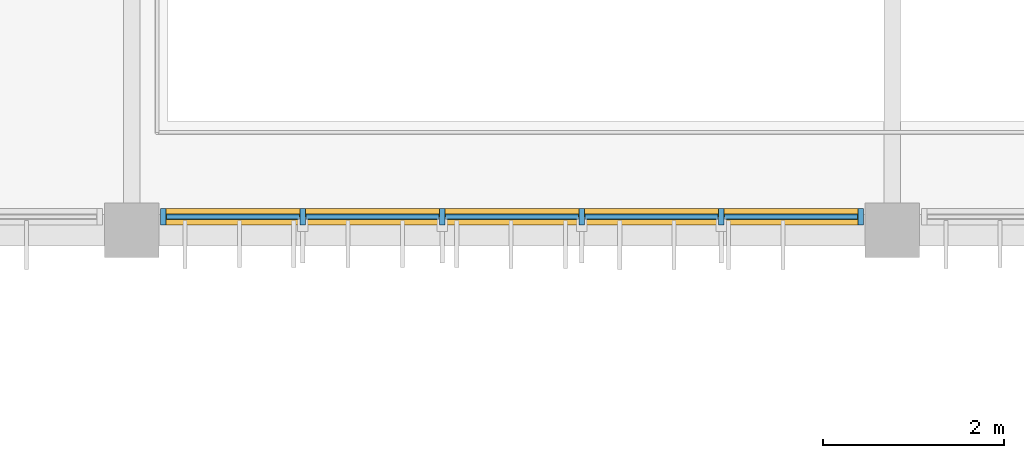
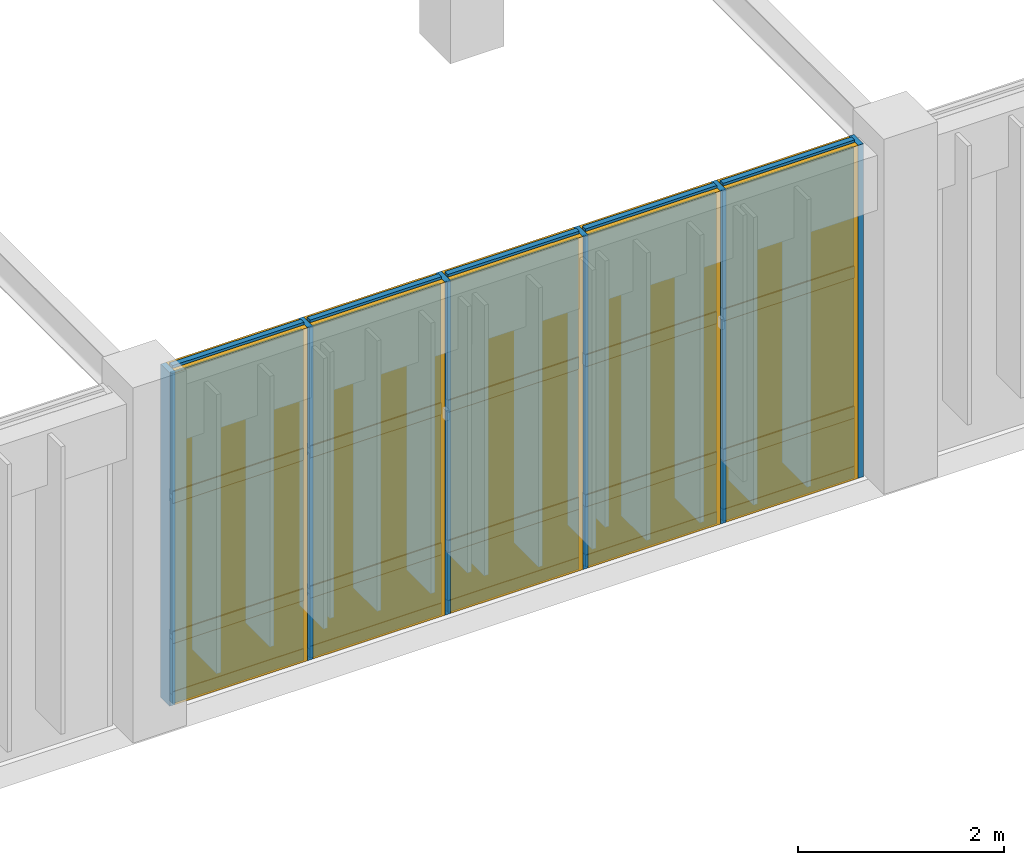
# One storey, part 102 of 122: 26 members, 15 plates, 1 curtain wall.
"""IFC4 building model written with IfcOpenShell, lengths in metres."""

from ifc_helpers import new_model, si_unit, direction, frame, frame_2d, origin, origin_2d, place, context, subcontext, project, spatial, rectangle, extrude, material, layer, layer_set, material_profile, profile_set, type_object, element, aggregate, save


model = new_model("IFC4")

# Units and contexts
model_context = context("Model", 3, precision=1e-05, world=origin(), true_north=direction((0.0, 1.0)))
body_context = subcontext(model_context, "Body", "Model", "MODEL_VIEW")
ifc_project = project(units=[si_unit("LENGTHUNIT", "METRE"), si_unit("AREAUNIT", "SQUARE_METRE"), si_unit("VOLUMEUNIT", "CUBIC_METRE"), si_unit("PLANEANGLEUNIT", "RADIAN"), si_unit("MASSUNIT", "GRAM", prefix="KILO")], contexts=[model_context])

# Member
ifc_material_1 = material(Name="Anodised Bronze Aluminium 6063-T6", Category="aluminium")
ifc_material_profile_1 = material_profile(ifc_material_1, rectangle(XDim=0.06005859375, YDim=0.179931640625, at=origin_2d()), Name="ALU MULLION 60x180")
ifc_profile_set_1 = profile_set([ifc_material_profile_1], Name="Anodised Bronze Aluminium 6063-T6")
member_type_1 = type_object("IfcMemberType", Name="Curtain-Wall Primary Mullion 60x180", PredefinedType="MULLION", material=ifc_profile_set_1)
site_placement = place(None, origin())
building_placement = place(site_placement, origin())
storey_placement = place(building_placement, frame((0.0, 0.0, 4.800048828125)))
member_1_placement = place(storey_placement, frame((134.14990234375, 87.949951171875, 0.0), z_axis=(0.0, 0.0, 1.0), x_axis=(1.0, 0.0, 0.0)))
member_1 = element("IfcMember", 1, at=member_1_placement, type_object=member_type_1, Name="Mullion CWM-01 CW-V3-S2-L01-B2-M01", PredefinedType="MULLION", context=body_context, shape_type="SweptSolid", body=[
    extrude(rectangle(XDim=0.06005859375, YDim=0.179931640625, at=origin_2d()), origin(), (0.0, 0.0, 1.0), 3.93994140625),
])

member_2_placement = place(storey_placement, frame((135.68994140625, 87.949951171875, 0.0), z_axis=(0.0, 0.0, 1.0), x_axis=(1.0, 0.0, 0.0)))
member_2 = element("IfcMember", 2, at=member_2_placement, type_object=member_type_1, Name="Mullion CWM-01 CW-V3-S2-L01-B2-M02", PredefinedType="MULLION", context=body_context, shape_type="SweptSolid", body=[
    extrude(rectangle(XDim=0.06005859375, YDim=0.179931640625, at=origin_2d()), origin(), (0.0, 0.0, 1.0), 3.93994140625),
])

member_3_placement = place(storey_placement, frame((137.22998046875, 87.949951171875, 0.0), z_axis=(0.0, 0.0, 1.0), x_axis=(1.0, 0.0, 0.0)))
member_3 = element("IfcMember", 3, at=member_3_placement, type_object=member_type_1, Name="Mullion CWM-01 CW-V3-S2-L01-B2-M03", PredefinedType="MULLION", context=body_context, shape_type="SweptSolid", body=[
    extrude(rectangle(XDim=0.06005859375, YDim=0.179931640625, at=origin_2d()), origin(), (0.0, 0.0, 1.0), 3.93994140625),
])

member_4_placement = place(storey_placement, frame((138.77001953125, 87.949951171875, 0.0), z_axis=(0.0, 0.0, 1.0), x_axis=(1.0, 0.0, 0.0)))
member_4 = element("IfcMember", 4, at=member_4_placement, type_object=member_type_1, Name="Mullion CWM-01 CW-V3-S2-L01-B2-M04", PredefinedType="MULLION", context=body_context, shape_type="SweptSolid", body=[
    extrude(rectangle(XDim=0.06005859375, YDim=0.179931640625, at=origin_2d()), origin(), (0.0, 0.0, 1.0), 3.93994140625),
])

member_5_placement = place(storey_placement, frame((140.31005859375, 87.949951171875, 0.0), z_axis=(0.0, 0.0, 1.0), x_axis=(1.0, 0.0, 0.0)))
member_5 = element("IfcMember", 5, at=member_5_placement, type_object=member_type_1, Name="Mullion CWM-01 CW-V3-S2-L01-B2-M05", PredefinedType="MULLION", context=body_context, shape_type="SweptSolid", body=[
    extrude(rectangle(XDim=0.06005859375, YDim=0.179931640625, at=origin_2d()), origin(), (0.0, 0.0, 1.0), 3.93994140625),
])

member_6_placement = place(storey_placement, frame((141.85009765625, 87.949951171875, 0.0), z_axis=(0.0, 0.0, 1.0), x_axis=(1.0, 0.0, 0.0)))
member_6 = element("IfcMember", 6, at=member_6_placement, type_object=member_type_1, Name="Mullion CWM-01 CW-V3-S2-L01-B2-M06", PredefinedType="MULLION", context=body_context, shape_type="SweptSolid", body=[
    extrude(rectangle(XDim=0.06005859375, YDim=0.179931640625, at=origin_2d()), origin(), (0.0, 0.0, 1.0), 3.93994140625),
])

ifc_material_profile_2 = material_profile(ifc_material_1, rectangle(XDim=0.06005859375, YDim=0.139892578125, at=origin_2d()), Name="ALU TRANSOM 60x140")
ifc_profile_set_2 = profile_set([ifc_material_profile_2], Name="Anodised Bronze Aluminium 6063-T6")
member_type_2 = type_object("IfcMemberType", Name="Curtain-Wall Transom 60x140", PredefinedType="USERDEFINED", material=ifc_profile_set_2)
member_7_placement = place(storey_placement, frame((134.18505859375, 87.949951171875, 0.0400390625), z_axis=(1.0, 0.0, 0.0), x_axis=(0.0, 1.0, 0.0)))
member_7 = element("IfcMember", 7, at=member_7_placement, type_object=member_type_2, Name="Transom CWT-01 CW-V3-S2-L01-B2-T01.1", ObjectType="TRANSOM", PredefinedType="USERDEFINED", context=body_context, shape_type="SweptSolid", body=[
    extrude(rectangle(XDim=0.06005859375, YDim=0.139892578125, at=origin_2d()), origin(), (0.0, 0.0, 1.0), 1.469970703125),
])

member_8_placement = place(storey_placement, frame((134.18505859375, 87.949951171875, 0.75), z_axis=(1.0, 0.0, 0.0), x_axis=(0.0, 1.0, 0.0)))
member_8 = element("IfcMember", 8, at=member_8_placement, type_object=member_type_2, Name="Transom CWT-01 CW-V3-S2-L01-B2-T01.2", ObjectType="TRANSOM", PredefinedType="USERDEFINED", context=body_context, shape_type="SweptSolid", body=[
    extrude(rectangle(XDim=0.06005859375, YDim=0.139892578125, at=origin_2d()), origin(), (0.0, 0.0, 1.0), 1.469970703125),
])

member_9_placement = place(storey_placement, frame((134.18505859375, 87.949951171875, 2.40869140625), z_axis=(1.0, 0.0, 0.0), x_axis=(0.0, 1.0, 0.0)))
member_9 = element("IfcMember", 9, at=member_9_placement, type_object=member_type_2, Name="Transom CWT-01 CW-V3-S2-L01-B2-T01.3", ObjectType="TRANSOM", PredefinedType="USERDEFINED", context=body_context, shape_type="SweptSolid", body=[
    extrude(rectangle(XDim=0.06005859375, YDim=0.139892578125, at=origin_2d()), origin(), (0.0, 0.0, 1.0), 1.469970703125),
])

member_10_placement = place(storey_placement, frame((134.18505859375, 87.949951171875, 3.89990234375), z_axis=(1.0, 0.0, 0.0), x_axis=(0.0, 1.0, 0.0)))
member_10 = element("IfcMember", 10, at=member_10_placement, type_object=member_type_2, Name="Transom CWT-01 CW-V3-S2-L01-B2-T01.4", ObjectType="TRANSOM", PredefinedType="USERDEFINED", context=body_context, shape_type="SweptSolid", body=[
    extrude(rectangle(XDim=0.06005859375, YDim=0.139892578125, at=origin_2d()), origin(), (0.0, 0.0, 1.0), 1.469970703125),
])

member_11_placement = place(storey_placement, frame((135.72509765625, 87.949951171875, 0.0400390625), z_axis=(1.0, 0.0, 0.0), x_axis=(0.0, 1.0, 0.0)))
member_11 = element("IfcMember", 11, at=member_11_placement, type_object=member_type_2, Name="Transom CWT-01 CW-V3-S2-L01-B2-T02.1", ObjectType="TRANSOM", PredefinedType="USERDEFINED", context=body_context, shape_type="SweptSolid", body=[
    extrude(rectangle(XDim=0.06005859375, YDim=0.139892578125, at=origin_2d()), origin(), (0.0, 0.0, 1.0), 1.469970703125),
])

member_12_placement = place(storey_placement, frame((135.72509765625, 87.949951171875, 0.75), z_axis=(1.0, 0.0, 0.0), x_axis=(0.0, 1.0, 0.0)))
member_12 = element("IfcMember", 12, at=member_12_placement, type_object=member_type_2, Name="Transom CWT-01 CW-V3-S2-L01-B2-T02.2", ObjectType="TRANSOM", PredefinedType="USERDEFINED", context=body_context, shape_type="SweptSolid", body=[
    extrude(rectangle(XDim=0.06005859375, YDim=0.139892578125, at=origin_2d()), origin(), (0.0, 0.0, 1.0), 1.469970703125),
])

member_13_placement = place(storey_placement, frame((135.72509765625, 87.949951171875, 2.40869140625), z_axis=(1.0, 0.0, 0.0), x_axis=(0.0, 1.0, 0.0)))
member_13 = element("IfcMember", 13, at=member_13_placement, type_object=member_type_2, Name="Transom CWT-01 CW-V3-S2-L01-B2-T02.3", ObjectType="TRANSOM", PredefinedType="USERDEFINED", context=body_context, shape_type="SweptSolid", body=[
    extrude(rectangle(XDim=0.06005859375, YDim=0.139892578125, at=origin_2d()), origin(), (0.0, 0.0, 1.0), 1.469970703125),
])

member_14_placement = place(storey_placement, frame((135.72509765625, 87.949951171875, 3.89990234375), z_axis=(1.0, 0.0, 0.0), x_axis=(0.0, 1.0, 0.0)))
member_14 = element("IfcMember", 14, at=member_14_placement, type_object=member_type_2, Name="Transom CWT-01 CW-V3-S2-L01-B2-T02.4", ObjectType="TRANSOM", PredefinedType="USERDEFINED", context=body_context, shape_type="SweptSolid", body=[
    extrude(rectangle(XDim=0.06005859375, YDim=0.139892578125, at=origin_2d()), origin(), (0.0, 0.0, 1.0), 1.469970703125),
])

member_15_placement = place(storey_placement, frame((137.264892578125, 87.949951171875, 0.0400390625), z_axis=(1.0, 0.0, 0.0), x_axis=(0.0, 1.0, 0.0)))
member_15 = element("IfcMember", 15, at=member_15_placement, type_object=member_type_2, Name="Transom CWT-01 CW-V3-S2-L01-B2-T03.1", ObjectType="TRANSOM", PredefinedType="USERDEFINED", context=body_context, shape_type="SweptSolid", body=[
    extrude(rectangle(XDim=0.06005859375, YDim=0.139892578125, at=origin_2d()), origin(), (0.0, 0.0, 1.0), 1.47021484375),
])

member_16_placement = place(storey_placement, frame((137.264892578125, 87.949951171875, 0.75), z_axis=(1.0, 0.0, 0.0), x_axis=(0.0, 1.0, 0.0)))
member_16 = element("IfcMember", 16, at=member_16_placement, type_object=member_type_2, Name="Transom CWT-01 CW-V3-S2-L01-B2-T03.2", ObjectType="TRANSOM", PredefinedType="USERDEFINED", context=body_context, shape_type="SweptSolid", body=[
    extrude(rectangle(XDim=0.06005859375, YDim=0.139892578125, at=origin_2d()), origin(), (0.0, 0.0, 1.0), 1.47021484375),
])

member_17_placement = place(storey_placement, frame((137.264892578125, 87.949951171875, 2.40869140625), z_axis=(1.0, 0.0, 0.0), x_axis=(0.0, 1.0, 0.0)))
member_17 = element("IfcMember", 17, at=member_17_placement, type_object=member_type_2, Name="Transom CWT-01 CW-V3-S2-L01-B2-T03.3", ObjectType="TRANSOM", PredefinedType="USERDEFINED", context=body_context, shape_type="SweptSolid", body=[
    extrude(rectangle(XDim=0.06005859375, YDim=0.139892578125, at=origin_2d()), origin(), (0.0, 0.0, 1.0), 1.47021484375),
])

member_18_placement = place(storey_placement, frame((137.264892578125, 87.949951171875, 3.89990234375), z_axis=(1.0, 0.0, 0.0), x_axis=(0.0, 1.0, 0.0)))
member_18 = element("IfcMember", 18, at=member_18_placement, type_object=member_type_2, Name="Transom CWT-01 CW-V3-S2-L01-B2-T03.4", ObjectType="TRANSOM", PredefinedType="USERDEFINED", context=body_context, shape_type="SweptSolid", body=[
    extrude(rectangle(XDim=0.06005859375, YDim=0.139892578125, at=origin_2d()), origin(), (0.0, 0.0, 1.0), 1.47021484375),
])

member_19_placement = place(storey_placement, frame((138.804931640625, 87.949951171875, 0.0400390625), z_axis=(1.0, 0.0, 0.0), x_axis=(0.0, 1.0, 0.0)))
member_19 = element("IfcMember", 19, at=member_19_placement, type_object=member_type_2, Name="Transom CWT-01 CW-V3-S2-L01-B2-T04.1", ObjectType="TRANSOM", PredefinedType="USERDEFINED", context=body_context, shape_type="SweptSolid", body=[
    extrude(rectangle(XDim=0.06005859375, YDim=0.139892578125, at=origin_2d()), origin(), (0.0, 0.0, 1.0), 1.469970703125),
])

member_20_placement = place(storey_placement, frame((138.804931640625, 87.949951171875, 0.75), z_axis=(1.0, 0.0, 0.0), x_axis=(0.0, 1.0, 0.0)))
member_20 = element("IfcMember", 20, at=member_20_placement, type_object=member_type_2, Name="Transom CWT-01 CW-V3-S2-L01-B2-T04.2", ObjectType="TRANSOM", PredefinedType="USERDEFINED", context=body_context, shape_type="SweptSolid", body=[
    extrude(rectangle(XDim=0.06005859375, YDim=0.139892578125, at=origin_2d()), origin(), (0.0, 0.0, 1.0), 1.469970703125),
])

member_21_placement = place(storey_placement, frame((138.804931640625, 87.949951171875, 2.40869140625), z_axis=(1.0, 0.0, 0.0), x_axis=(0.0, 1.0, 0.0)))
member_21 = element("IfcMember", 21, at=member_21_placement, type_object=member_type_2, Name="Transom CWT-01 CW-V3-S2-L01-B2-T04.3", ObjectType="TRANSOM", PredefinedType="USERDEFINED", context=body_context, shape_type="SweptSolid", body=[
    extrude(rectangle(XDim=0.06005859375, YDim=0.139892578125, at=origin_2d()), origin(), (0.0, 0.0, 1.0), 1.469970703125),
])

member_22_placement = place(storey_placement, frame((138.804931640625, 87.949951171875, 3.89990234375), z_axis=(1.0, 0.0, 0.0), x_axis=(0.0, 1.0, 0.0)))
member_22 = element("IfcMember", 22, at=member_22_placement, type_object=member_type_2, Name="Transom CWT-01 CW-V3-S2-L01-B2-T04.4", ObjectType="TRANSOM", PredefinedType="USERDEFINED", context=body_context, shape_type="SweptSolid", body=[
    extrude(rectangle(XDim=0.06005859375, YDim=0.139892578125, at=origin_2d()), origin(), (0.0, 0.0, 1.0), 1.469970703125),
])

member_23_placement = place(storey_placement, frame((140.344970703125, 87.949951171875, 0.0400390625), z_axis=(1.0, 0.0, 0.0), x_axis=(0.0, 1.0, 0.0)))
member_23 = element("IfcMember", 23, at=member_23_placement, type_object=member_type_2, Name="Transom CWT-01 CW-V3-S2-L01-B2-T05.1", ObjectType="TRANSOM", PredefinedType="USERDEFINED", context=body_context, shape_type="SweptSolid", body=[
    extrude(rectangle(XDim=0.06005859375, YDim=0.139892578125, at=origin_2d()), origin(), (0.0, 0.0, 1.0), 1.469970703125),
])

member_24_placement = place(storey_placement, frame((140.344970703125, 87.949951171875, 0.75), z_axis=(1.0, 0.0, 0.0), x_axis=(0.0, 1.0, 0.0)))
member_24 = element("IfcMember", 24, at=member_24_placement, type_object=member_type_2, Name="Transom CWT-01 CW-V3-S2-L01-B2-T05.2", ObjectType="TRANSOM", PredefinedType="USERDEFINED", context=body_context, shape_type="SweptSolid", body=[
    extrude(rectangle(XDim=0.06005859375, YDim=0.139892578125, at=origin_2d()), origin(), (0.0, 0.0, 1.0), 1.469970703125),
])

member_25_placement = place(storey_placement, frame((140.344970703125, 87.949951171875, 2.40869140625), z_axis=(1.0, 0.0, 0.0), x_axis=(0.0, 1.0, 0.0)))
member_25 = element("IfcMember", 25, at=member_25_placement, type_object=member_type_2, Name="Transom CWT-01 CW-V3-S2-L01-B2-T05.3", ObjectType="TRANSOM", PredefinedType="USERDEFINED", context=body_context, shape_type="SweptSolid", body=[
    extrude(rectangle(XDim=0.06005859375, YDim=0.139892578125, at=origin_2d()), origin(), (0.0, 0.0, 1.0), 1.469970703125),
])

member_26_placement = place(storey_placement, frame((140.344970703125, 87.949951171875, 3.89990234375), z_axis=(1.0, 0.0, 0.0), x_axis=(0.0, 1.0, 0.0)))
member_26 = element("IfcMember", 26, at=member_26_placement, type_object=member_type_2, Name="Transom CWT-01 CW-V3-S2-L01-B2-T05.4", ObjectType="TRANSOM", PredefinedType="USERDEFINED", context=body_context, shape_type="SweptSolid", body=[
    extrude(rectangle(XDim=0.06005859375, YDim=0.139892578125, at=origin_2d()), origin(), (0.0, 0.0, 1.0), 1.469970703125),
])

# Plate
ifc_material_2 = material(Name="Insulated Bronze Aluminium Spandrel Panel", Category="aluminium")
ifc_layer_1 = layer(ifc_material_2, 0.050048828125, Name="Insulated Bronze Aluminium Spandrel Panel")
ifc_layer_set_1 = layer_set([ifc_layer_1], Name="Insulated Bronze Aluminium Spandrel Panel")
plate_type_1 = type_object("IfcPlateType", Name="Insulated Anodised Aluminium Spandrel Cassette 50", PredefinedType="CURTAIN_PANEL", material=ifc_layer_set_1)
plate_1_placement = place(storey_placement, frame((134.919921875, 87.949951171875, 0.070068359375), z_axis=(0.0, 0.0, 1.0), x_axis=(1.0, 0.0, 0.0)))
plate_1 = element("IfcPlate", 27, at=plate_1_placement, type_object=plate_type_1, Name="Curtain Panel CWP-03 CW-V3-S2-L01-B2-P01.1", PredefinedType="CURTAIN_PANEL", context=body_context, shape_type="SweptSolid", body=[
    extrude(rectangle(XDim=1.469970703125, YDim=0.050048828125, at=origin_2d()), origin(), (0.0, 0.0, 1.0), 0.64990234375),
])

plate_2_placement = place(storey_placement, frame((136.4599609375, 87.949951171875, 0.070068359375), z_axis=(0.0, 0.0, 1.0), x_axis=(1.0, 0.0, 0.0)))
plate_2 = element("IfcPlate", 28, at=plate_2_placement, type_object=plate_type_1, Name="Curtain Panel CWP-03 CW-V3-S2-L01-B2-P02.1", PredefinedType="CURTAIN_PANEL", context=body_context, shape_type="SweptSolid", body=[
    extrude(rectangle(XDim=1.469970703125, YDim=0.050048828125, at=origin_2d()), origin(), (0.0, 0.0, 1.0), 0.64990234375),
])

plate_3_placement = place(storey_placement, frame((138.0, 87.949951171875, 0.070068359375), z_axis=(0.0, 0.0, 1.0), x_axis=(1.0, 0.0, 0.0)))
plate_3 = element("IfcPlate", 29, at=plate_3_placement, type_object=plate_type_1, Name="Curtain Panel CWP-03 CW-V3-S2-L01-B2-P03.1", PredefinedType="CURTAIN_PANEL", context=body_context, shape_type="SweptSolid", body=[
    extrude(rectangle(XDim=1.469970703125, YDim=0.050048828125, at=origin_2d()), origin(), (0.0, 0.0, 1.0), 0.64990234375),
])

plate_4_placement = place(storey_placement, frame((139.5400390625, 87.949951171875, 0.070068359375), z_axis=(0.0, 0.0, 1.0), x_axis=(1.0, 0.0, 0.0)))
plate_4 = element("IfcPlate", 30, at=plate_4_placement, type_object=plate_type_1, Name="Curtain Panel CWP-03 CW-V3-S2-L01-B2-P04.1", PredefinedType="CURTAIN_PANEL", context=body_context, shape_type="SweptSolid", body=[
    extrude(rectangle(XDim=1.469970703125, YDim=0.050048828125, at=origin_2d()), origin(), (0.0, 0.0, 1.0), 0.64990234375),
])

plate_5_placement = place(storey_placement, frame((141.080078125, 87.949951171875, 0.070068359375), z_axis=(0.0, 0.0, 1.0), x_axis=(1.0, 0.0, 0.0)))
plate_5 = element("IfcPlate", 31, at=plate_5_placement, type_object=plate_type_1, Name="Curtain Panel CWP-03 CW-V3-S2-L01-B2-P05.1", PredefinedType="CURTAIN_PANEL", context=body_context, shape_type="SweptSolid", body=[
    extrude(rectangle(XDim=1.469970703125, YDim=0.050048828125, at=origin_2d()), origin(), (0.0, 0.0, 1.0), 0.64990234375),
])

ifc_material_3 = material(Name="Solar-Control Tempered Double Glazing", Category="glass")
ifc_layer_2 = layer(ifc_material_3, 0.0380859375, Name="Solar-Control Tempered Double Glazing")
ifc_layer_set_2 = layer_set([ifc_layer_2], Name="Solar-Control Tempered Double Glazing")
plate_type_2 = type_object("IfcPlateType", Name="Solar-Control Vision Glazing Unit 38", PredefinedType="CURTAIN_PANEL", material=ifc_layer_set_2)
plate_6_placement = place(storey_placement, frame((134.919921875, 87.949951171875, 0.77978515625), z_axis=(0.0, 0.0, 1.0), x_axis=(1.0, 0.0, 0.0)))
plate_6 = element("IfcPlate", 32, at=plate_6_placement, type_object=plate_type_2, Name="Curtain Panel CWP-02 CW-V3-S2-L01-B2-P01.2", PredefinedType="CURTAIN_PANEL", context=body_context, shape_type="SweptSolid", body=[
    extrude(rectangle(XDim=1.469970703125, YDim=0.0380859375, at=origin_2d()), origin(), (0.0, 0.0, 1.0), 1.598876953125),
])

plate_7_placement = place(storey_placement, frame((134.919921875, 87.949951171875, 2.438720703125), z_axis=(0.0, 0.0, 1.0), x_axis=(1.0, 0.0, 0.0)))
plate_7 = element("IfcPlate", 33, at=plate_7_placement, type_object=plate_type_2, Name="Curtain Panel CWP-02 CW-V3-S2-L01-B2-P01.3", PredefinedType="CURTAIN_PANEL", context=body_context, shape_type="SweptSolid", body=[
    extrude(rectangle(XDim=1.469970703125, YDim=0.0380859375, at=origin_2d()), origin(), (0.0, 0.0, 1.0), 1.43115234375),
])

plate_8_placement = place(storey_placement, frame((136.4599609375, 87.949951171875, 0.77978515625), z_axis=(0.0, 0.0, 1.0), x_axis=(1.0, 0.0, 0.0)))
plate_8 = element("IfcPlate", 34, at=plate_8_placement, type_object=plate_type_2, Name="Curtain Panel CWP-02 CW-V3-S2-L01-B2-P02.2", PredefinedType="CURTAIN_PANEL", context=body_context, shape_type="SweptSolid", body=[
    extrude(rectangle(XDim=1.469970703125, YDim=0.0380859375, at=origin_2d()), origin(), (0.0, 0.0, 1.0), 1.598876953125),
])

plate_9_placement = place(storey_placement, frame((136.4599609375, 87.949951171875, 2.438720703125), z_axis=(0.0, 0.0, 1.0), x_axis=(1.0, 0.0, 0.0)))
plate_9 = element("IfcPlate", 35, at=plate_9_placement, type_object=plate_type_2, Name="Curtain Panel CWP-02 CW-V3-S2-L01-B2-P02.3", PredefinedType="CURTAIN_PANEL", context=body_context, shape_type="SweptSolid", body=[
    extrude(rectangle(XDim=1.469970703125, YDim=0.0380859375, at=origin_2d()), origin(), (0.0, 0.0, 1.0), 1.43115234375),
])

plate_10_placement = place(storey_placement, frame((138.0, 87.949951171875, 0.77978515625), z_axis=(0.0, 0.0, 1.0), x_axis=(1.0, 0.0, 0.0)))
plate_10 = element("IfcPlate", 36, at=plate_10_placement, type_object=plate_type_2, Name="Curtain Panel CWP-02 CW-V3-S2-L01-B2-P03.2", PredefinedType="CURTAIN_PANEL", context=body_context, shape_type="SweptSolid", body=[
    extrude(rectangle(XDim=1.469970703125, YDim=0.0380859375, at=origin_2d()), origin(), (0.0, 0.0, 1.0), 1.598876953125),
])

plate_11_placement = place(storey_placement, frame((138.0, 87.949951171875, 2.438720703125), z_axis=(0.0, 0.0, 1.0), x_axis=(1.0, 0.0, 0.0)))
plate_11 = element("IfcPlate", 37, at=plate_11_placement, type_object=plate_type_2, Name="Curtain Panel CWP-02 CW-V3-S2-L01-B2-P03.3", PredefinedType="CURTAIN_PANEL", context=body_context, shape_type="SweptSolid", body=[
    extrude(rectangle(XDim=1.469970703125, YDim=0.0380859375, at=origin_2d()), origin(), (0.0, 0.0, 1.0), 1.43115234375),
])

plate_12_placement = place(storey_placement, frame((139.5400390625, 87.949951171875, 0.77978515625), z_axis=(0.0, 0.0, 1.0), x_axis=(1.0, 0.0, 0.0)))
plate_12 = element("IfcPlate", 38, at=plate_12_placement, type_object=plate_type_2, Name="Curtain Panel CWP-02 CW-V3-S2-L01-B2-P04.2", PredefinedType="CURTAIN_PANEL", context=body_context, shape_type="SweptSolid", body=[
    extrude(rectangle(XDim=1.469970703125, YDim=0.0380859375, at=origin_2d()), origin(), (0.0, 0.0, 1.0), 1.598876953125),
])

plate_13_placement = place(storey_placement, frame((139.5400390625, 87.949951171875, 2.438720703125), z_axis=(0.0, 0.0, 1.0), x_axis=(1.0, 0.0, 0.0)))
plate_13 = element("IfcPlate", 39, at=plate_13_placement, type_object=plate_type_2, Name="Curtain Panel CWP-02 CW-V3-S2-L01-B2-P04.3", PredefinedType="CURTAIN_PANEL", context=body_context, shape_type="SweptSolid", body=[
    extrude(rectangle(XDim=1.469970703125, YDim=0.0380859375, at=origin_2d()), origin(), (0.0, 0.0, 1.0), 1.43115234375),
])

plate_14_placement = place(storey_placement, frame((141.080078125, 87.949951171875, 0.77978515625), z_axis=(0.0, 0.0, 1.0), x_axis=(1.0, 0.0, 0.0)))
plate_14 = element("IfcPlate", 40, at=plate_14_placement, type_object=plate_type_2, Name="Curtain Panel CWP-02 CW-V3-S2-L01-B2-P05.2", PredefinedType="CURTAIN_PANEL", context=body_context, shape_type="SweptSolid", body=[
    extrude(rectangle(XDim=1.469970703125, YDim=0.0380859375, at=origin_2d()), origin(), (0.0, 0.0, 1.0), 1.598876953125),
])

plate_15_placement = place(storey_placement, frame((141.080078125, 87.949951171875, 2.438720703125), z_axis=(0.0, 0.0, 1.0), x_axis=(1.0, 0.0, 0.0)))
plate_15 = element("IfcPlate", 41, at=plate_15_placement, type_object=plate_type_2, Name="Curtain Panel CWP-02 CW-V3-S2-L01-B2-P05.3", PredefinedType="CURTAIN_PANEL", context=body_context, shape_type="SweptSolid", body=[
    extrude(rectangle(XDim=1.469970703125, YDim=0.0380859375, at=origin_2d()), origin(), (0.0, 0.0, 1.0), 1.43115234375),
])

# Site, building, storey
site = spatial("IfcSite", under=ifc_project, at=site_placement, CompositionType="ELEMENT")
building = spatial("IfcBuilding", under=site, at=building_placement, Name="Tazoul Stagehouse", CompositionType="ELEMENT")
storey = spatial("IfcBuildingStorey", under=building, at=storey_placement, Name="L01", CompositionType="ELEMENT", Elevation=4.800048828125)

# Curtain wall
curtain_wall_type = type_object("IfcCurtainWallType", Name="Rehearsal North Daylight Curtain Wall", PredefinedType="NOTDEFINED", material=ifc_material_1)
curtain_wall_placement = place(storey_placement, frame((134.14990234375, 87.949951171875, 0.0), z_axis=(0.0, 0.0, 1.0), x_axis=(1.0, 0.0, 0.0)))
curtain_wall = element("IfcCurtainWall", 42, at=curtain_wall_placement, inside=storey, type_object=curtain_wall_type, Name="L01 Curtain Wall CW-04 (CW-V3-S2-L01-B2)", PredefinedType="NOTDEFINED", context=body_context, shape_type="SweptSolid", body=[
    extrude(rectangle(XDim=7.7001953125, YDim=0.179931640625, at=frame_2d((3.85009765625, 0.0))), origin(), (0.0, 0.0, 1.0), 3.93994140625),
])

aggregate(curtain_wall, [member_1, member_2, member_3, member_4, member_5, member_6, member_7, member_8, member_9, member_10, plate_1, plate_6, plate_7, member_11, member_12, member_13, member_14, plate_2, plate_8, plate_9, member_15, member_16, member_17, member_18, plate_3, plate_10, plate_11, member_19, member_20, member_21, member_22, plate_4, plate_12, plate_13, member_23, member_24, member_25, member_26, plate_5, plate_14, plate_15])

save(model, "model.ifc")
